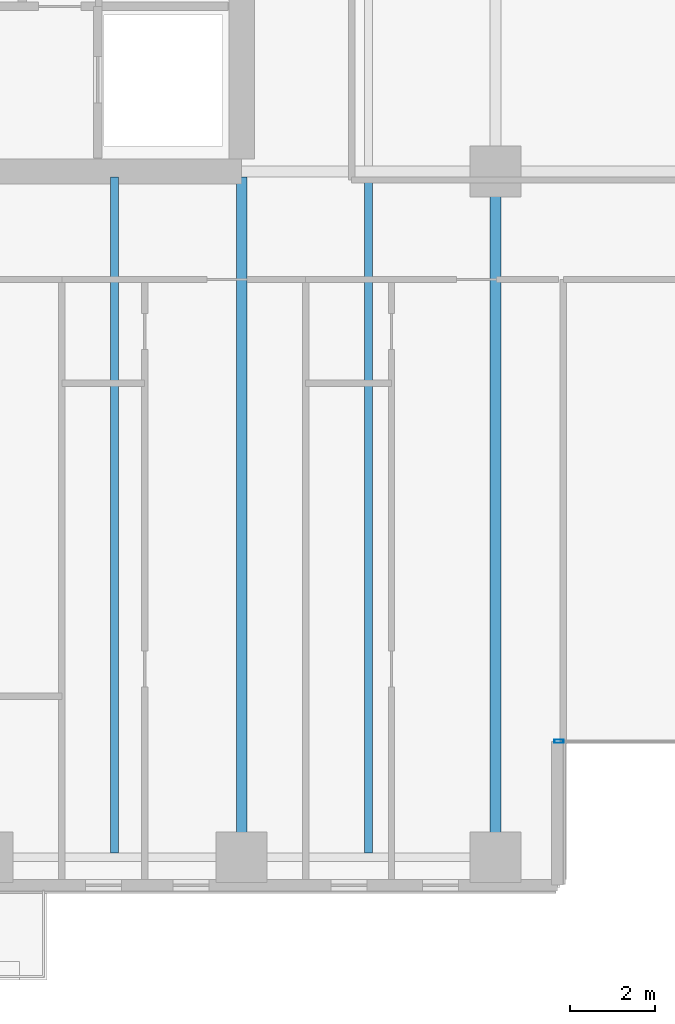
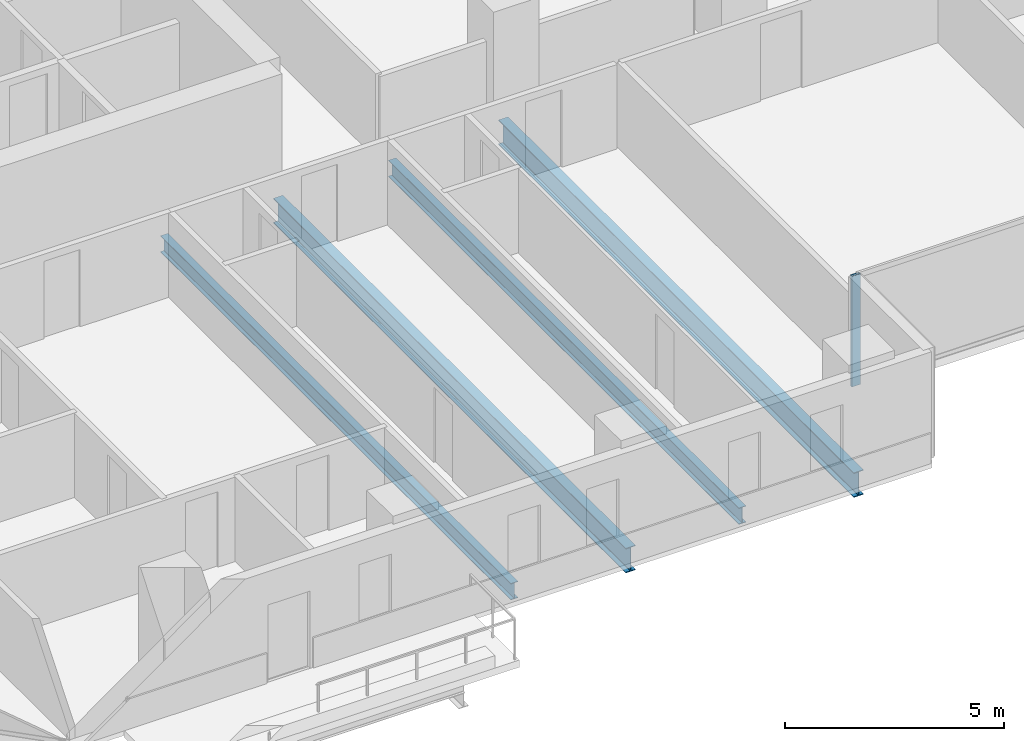
# One storey, part 4 of 33: 4 beams, 1 member, 1 element without a shape of its own.
"""IFC4 building model written with IfcOpenShell, lengths in metres."""

from ifc_helpers import new_model, si_unit, direction, frame, origin, origin_2d, place, context, subcontext, project, spatial, hollow_rectangle, i_section, extrude, material, layer, layer_set, material_profile, profile_set, type_object, element, aggregate, save


model = new_model("IFC4")

# Units and contexts
model_context = context("Model", 3, precision=1e-05, world=origin(), true_north=direction((0.0, 1.0)))
body_context = subcontext(model_context, "Body", "Model", "MODEL_VIEW")
ifc_project = project(units=[si_unit("LENGTHUNIT", "METRE"), si_unit("AREAUNIT", "SQUARE_METRE"), si_unit("VOLUMEUNIT", "CUBIC_METRE"), si_unit("PLANEANGLEUNIT", "RADIAN"), si_unit("MASSUNIT", "GRAM", prefix="KILO")], contexts=[model_context])

# Site, building, storey
site_placement = place(None, origin())
site = spatial("IfcSite", under=ifc_project, at=site_placement, CompositionType="ELEMENT")
building_placement = place(site_placement, origin())
building = spatial("IfcBuilding", under=site, at=building_placement, Name="Tanjung Sevakor Pilgrim Tower", CompositionType="ELEMENT")
storey_placement = place(building_placement, frame((0.0, 0.0, 32.340087890625)))
storey = spatial("IfcBuildingStorey", under=building, at=storey_placement, Name="L08", CompositionType="ELEMENT", Elevation=32.340087890625)

# Beams
ifc_material_1 = material(Name="Steel S355J2", Category="steel")
ifc_material_profile_1 = material_profile(ifc_material_1, i_section(OverallWidth=0.25439453125, OverallDepth=0.6875, WebThickness=0.01318359375, FlangeThickness=0.02099609375, FilletRadius=0.01513671875, at=origin_2d()))
ifc_profile_set_1 = profile_set([ifc_material_profile_1], Name="Steel S355J2")
beam_type_1 = type_object("IfcBeamType", Name="BM-B-G2-UB_686x254x152", PredefinedType="BEAM", material=ifc_profile_set_1)
beam_1_placement = place(storey_placement, frame((36.0, 8.39990234375, -0.56396484375), z_axis=(0.0, 1.0, 0.0), x_axis=(-1.0, 0.0, 0.0)))
element("IfcBeam", 1, at=beam_1_placement, inside=storey, type_object=beam_type_1, Name="L08 MAIN Girder 005", PredefinedType="BEAM", context=body_context, shape_type="SweptSolid", body=[
    extrude(i_section(OverallWidth=0.25439453125, OverallDepth=0.6875, WebThickness=0.01318359375, FlangeThickness=0.02099609375, FilletRadius=0.01513671875, at=origin_2d()), origin(), (0.0, 0.0, 1.0), 16.066162109375),
])
beam_2_placement = place(storey_placement, frame((42.0, 8.39990234375, -0.56396484375), z_axis=(0.0, 1.0, 0.0), x_axis=(-1.0, 0.0, 0.0)))
element("IfcBeam", 2, at=beam_2_placement, inside=storey, type_object=beam_type_1, Name="L08 MAIN Girder 010", PredefinedType="BEAM", context=body_context, shape_type="SweptSolid", body=[
    extrude(i_section(OverallWidth=0.25439453125, OverallDepth=0.6875, WebThickness=0.01318359375, FlangeThickness=0.02099609375, FilletRadius=0.01513671875, at=origin_2d()), origin(), (0.0, 0.0, 1.0), 16.2001953125),
])
ifc_material_2 = material(Name="Steel S355J2", Category="steel")
ifc_material_profile_2 = material_profile(ifc_material_2, i_section(OverallWidth=0.19140625, OverallDepth=0.4599609375, WebThickness=0.010009765625, FlangeThickness=0.01611328125, FilletRadius=0.01025390625, at=origin_2d()))
ifc_profile_set_2 = profile_set([ifc_material_profile_2], Name="Steel S355J2")
beam_type_2 = type_object("IfcBeamType", Name="BM-B-J2-UB_457x191x82", PredefinedType="JOIST", material=ifc_profile_set_2)
for number, where, z_axis, x_axis, name in (
    (3, (33.0, 8.5, -0.4501953125), (0.0, 1.0, 0.0), (-1.0, 0.0, 0.0), "L08 MAIN Joist 003"),
    (4, (39.0, 8.5, -0.4501953125), (0.0, 1.0, 0.0), (-1.0, 0.0, 0.0), "L08 MAIN Joist 007"),
):
    element("IfcBeam", number, at=place(storey_placement, frame(where, z_axis=z_axis, x_axis=x_axis)), inside=storey, type_object=beam_type_2, Name=name, PredefinedType="JOIST", context=body_context, shape_type="SweptSolid", body=[
        extrude(i_section(OverallWidth=0.19140625, OverallDepth=0.4599609375, WebThickness=0.010009765625, FlangeThickness=0.01611328125, FilletRadius=0.01025390625, at=origin_2d()), origin(), (0.0, 0.0, 1.0), 15.966064453125),
    ])

# Curtain wall, member
ifc_material_3 = material(Name="Aluminium 6063-T6 and Low-E Glass", Category="aluminium")
ifc_layer = layer(ifc_material_3, 0.179931640625)
ifc_layer_set = layer_set([ifc_layer], Name="CW-SYS-CLEFT")
curtain_wall_type = type_object("IfcCurtainWallType", Name="CW-SYS-CLEFT", PredefinedType="NOTDEFINED", material=ifc_layer_set)
curtain_wall_placement = place(storey_placement, origin())
curtain_wall = element("IfcCurtainWall", 5, at=curtain_wall_placement, inside=storey, type_object=curtain_wall_type, Name="L08 Curtain Wall CW-CLF-L08-2", PredefinedType="NOTDEFINED")
ifc_material_4 = material(Name="Aluminium 6063-T6", Category="aluminium")
ifc_material_profile_3 = material_profile(ifc_material_4, hollow_rectangle(XDim=0.074951171875, YDim=0.219970703125, WallThickness=0.0048828125, at=origin_2d()))
ifc_profile_set_3 = profile_set([ifc_material_profile_3], Name="Aluminium 6063-T6")
member_type = type_object("IfcMemberType", Name="TYPE-CWM-2", PredefinedType="MULLION", material=ifc_profile_set_3)
member_placement = place(storey_placement, frame((43.49755859375, 11.139892578125, 0.0), z_axis=(0.0, 0.0, 1.0), x_axis=(0.0, 1.0, 0.0)))
member = element("IfcMember", 6, at=member_placement, type_object=member_type, Name="CW-CLF mullion 1", PredefinedType="MULLION", context=body_context, shape_type="SweptSolid", body=[
    extrude(hollow_rectangle(XDim=0.074951171875, YDim=0.219970703125, WallThickness=0.0048828125, at=origin_2d()), origin(), (0.0, 0.0, 1.0), 3.079833984375),
])
aggregate(curtain_wall, [member])

save(model, "model.ifc")
